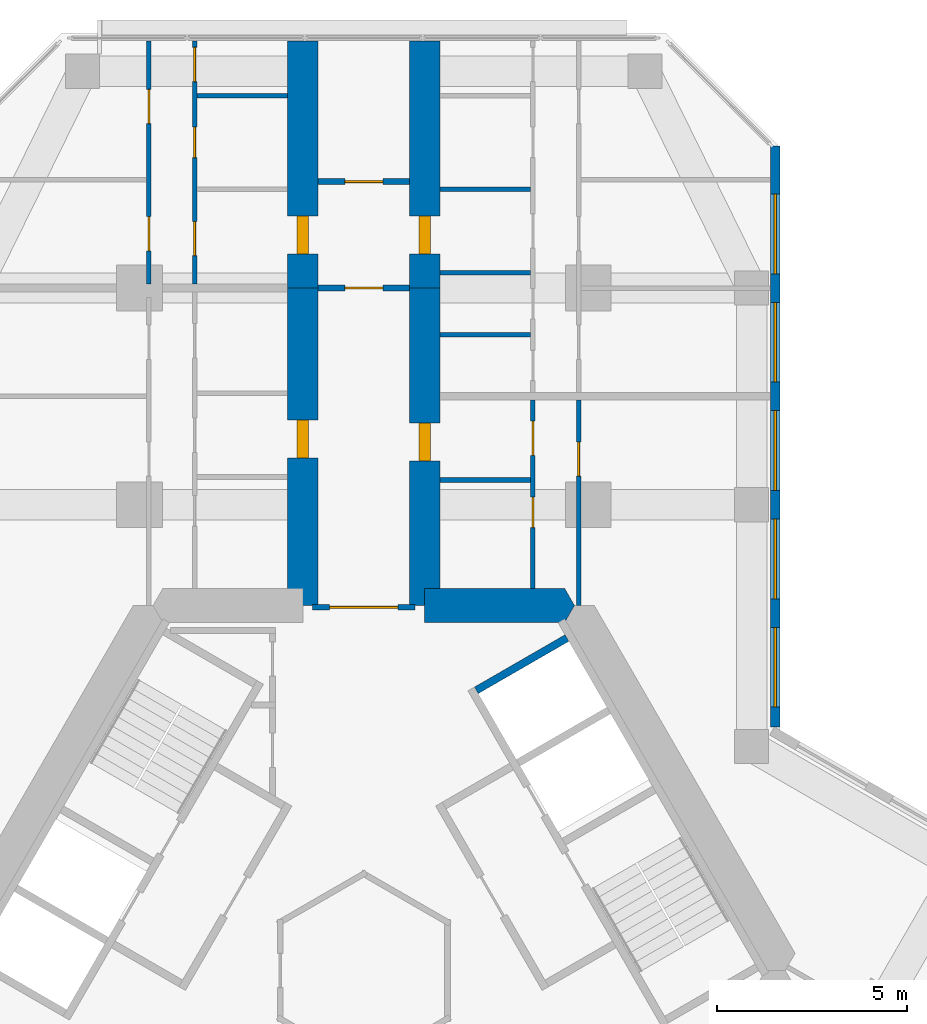
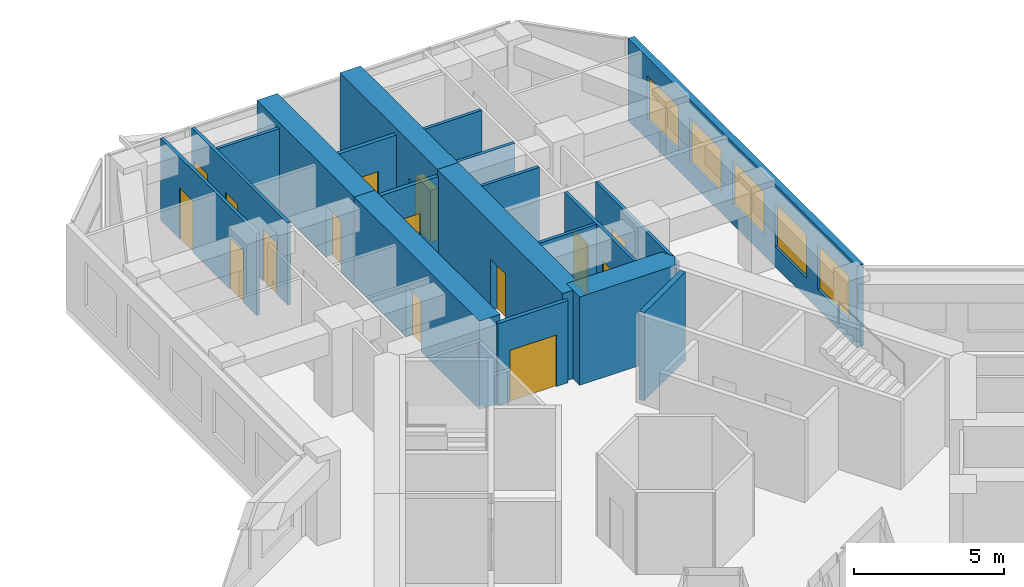
# One storey, part 17 of 19: 19 walls, 15 doors, 5 windows, 20 openings.
"""IFC4 building model written with IfcOpenShell, lengths in metres."""

from ifc_helpers import new_model, si_unit, direction, frame, frame_2d, origin, place, context, subcontext, project, spatial, polyline, rectangle, outline, extrude, material, layer, layer_set, type_object, element, fill, save


model = new_model("IFC4")

# Units and contexts
model_context = context("Model", 3, precision=1e-05, world=origin(), true_north=direction((0.0, 1.0)))
body_context = subcontext(model_context, "Body", "Model", "MODEL_VIEW")
ifc_project = project(units=[si_unit("LENGTHUNIT", "METRE"), si_unit("AREAUNIT", "SQUARE_METRE"), si_unit("VOLUMEUNIT", "CUBIC_METRE"), si_unit("PLANEANGLEUNIT", "RADIAN"), si_unit("MASSUNIT", "GRAM", prefix="KILO")], contexts=[model_context])

# Site, building, storey
site_placement = place(None, origin())
site = spatial("IfcSite", under=ifc_project, at=site_placement, CompositionType="ELEMENT")
building_placement = place(site_placement, origin())
building = spatial("IfcBuilding", under=site, at=building_placement, Name="Kosmar Iwan School Tower", CompositionType="ELEMENT")
storey_placement = place(building_placement, frame((0.0, 0.0, 145.39990234375)))
storey = spatial("IfcBuildingStorey", under=building, at=storey_placement, Name="L36", CompositionType="ELEMENT", Elevation=145.39990234375)

# Wall
ifc_material_1 = material(Name="Concrete C50/60", Category="concrete")
ifc_layer_1 = layer(ifc_material_1, 0.89990234375)
ifc_layer_set_1 = layer_set([ifc_layer_1], Name="Core wall 900")
wall_type_1 = type_object("IfcWallType", Name="Core wall 900", PredefinedType="SHEAR", material=ifc_layer_set_1)
wall_1_placement = place(storey_placement, origin())
element("IfcWall", 1, at=wall_1_placement, inside=storey, type_object=wall_type_1, Name="Core wall F090a", PredefinedType="SHEAR", context=body_context, shape_type="SweptSolid", body=[
    extrude(outline(polyline([(1.60009765625, 9.14990234375), (5.28271484375, 9.14990234375), (5.54248046875, 9.60009765625), (5.28271484375, 10.050048828125), (1.60009765625, 10.050048828125), (1.60009765625, 9.14990234375)])), origin(), (0.0, 0.0, 1.0), 3.60009765625),
])

# Wall, opening, door
ifc_material_2 = material(Name="Concrete C50/60", Category="concrete")
ifc_layer_2 = layer(ifc_material_2, 0.800048828125)
ifc_layer_set_2 = layer_set([ifc_layer_2], Name="Corridor buttress wall 800")
wall_type_2 = type_object("IfcWallType", Name="Corridor buttress wall 800", PredefinedType="SHEAR", material=ifc_layer_set_2)
wall_2_placement = place(storey_placement, frame((-1.60009765625, 9.60009765625, 0.0), z_axis=(0.0, 0.0, 1.0), x_axis=(0.0, 1.0, 0.0)))
wall_2 = element("IfcWall", 2, at=wall_2_placement, inside=storey, type_object=wall_type_2, Name="Corridor wall AL", PredefinedType="SHEAR", context=body_context, shape_type="SweptSolid", body=[
    extrude(rectangle(XDim=8.349853515625, YDim=0.800048828125, at=frame_2d((4.1748046875, 0.0))), origin(), (0.0, 0.0, 1.0), 3.60009765625),
])
opening_1_placement = place(wall_2_placement, frame((3.8798828125, 0.0, 0.0)))
opening_1 = element("IfcOpeningElement", 3, at=opening_1_placement, cuts=wall_2, Name="Opening D1", PredefinedType="OPENING", context=body_context, shape_type="SweptSolid", body=[
    extrude(rectangle(XDim=1.0, YDim=2.10009765625, at=frame_2d((0.5, 1.050048828125))), frame((0.0, 0.412109375, 0.0), z_axis=(0.0, -1.0, 0.0), x_axis=(1.0, 0.0, 0.0)), (0.0, 0.0, 1.0), 0.823974609375),
])
ifc_material_3 = material(Name="Timber fire door in steel frame", Category="steel")
door_type_1 = type_object("IfcDoorType", Name="Flat entrance door 1000x2100", OperationType="SINGLE_SWING_LEFT", PredefinedType="DOOR", material=ifc_material_3)
door_1_placement = place(opening_1_placement, origin())
door_1 = element("IfcDoor", 4, at=door_1_placement, inside=storey, type_object=door_type_1, Name="Flat L36-AL1 entrance door", OperationType="SINGLE_SWING_LEFT", OverallHeight=2.10009765625, OverallWidth=1.0, PredefinedType="DOOR", context=body_context, shape_type="SweptSolid", body=[
    extrude(rectangle(XDim=1.0, YDim=2.10009765625, at=frame_2d((0.5, 1.050048828125))), frame((0.0, 0.14990234375, 0.0), z_axis=(0.0, -1.0, 0.0), x_axis=(1.0, 0.0, 0.0)), (0.0, 0.0, 1.0), 0.300048828125),
])
fill(opening_1, door_1)

wall_3_placement = place(storey_placement, frame((-1.60009765625, 17.949951171875, 0.0), z_axis=(0.0, 0.0, 1.0), x_axis=(0.0, 1.0, 0.0)))
wall_3 = element("IfcWall", 5, at=wall_3_placement, inside=storey, type_object=wall_type_2, Name="Corridor wall AL bay 2", PredefinedType="SHEAR", context=body_context, shape_type="SweptSolid", body=[
    extrude(rectangle(XDim=6.4951171875, YDim=0.800048828125, at=frame_2d((3.24755859375, 0.0))), origin(), (0.0, 0.0, 1.0), 3.60009765625),
])
opening_2_placement = place(wall_3_placement, frame((0.89990234375, 0.0, 0.0)))
opening_2 = element("IfcOpeningElement", 6, at=opening_2_placement, cuts=wall_3, Name="Opening D1", PredefinedType="OPENING", context=body_context, shape_type="SweptSolid", body=[
    extrude(rectangle(XDim=1.0, YDim=2.10009765625, at=frame_2d((0.5, 1.050048828125))), frame((0.0, 0.412109375, 0.0), z_axis=(0.0, -1.0, 0.0), x_axis=(1.0, 0.0, 0.0)), (0.0, 0.0, 1.0), 0.823974609375),
])
door_2_placement = place(opening_2_placement, origin())
door_2 = element("IfcDoor", 7, at=door_2_placement, inside=storey, type_object=door_type_1, Name="Flat L36-AL2 entrance door", OperationType="SINGLE_SWING_RIGHT", OverallHeight=2.10009765625, OverallWidth=1.0, PredefinedType="DOOR", context=body_context, shape_type="SweptSolid", body=[
    extrude(rectangle(XDim=1.0, YDim=2.10009765625, at=frame_2d((0.5, 1.050048828125))), frame((0.0, 0.14990234375, 0.0), z_axis=(0.0, -1.0, 0.0), x_axis=(1.0, 0.0, 0.0)), (0.0, 0.0, 1.0), 0.300048828125),
])
fill(opening_2, door_2)

wall_4_placement = place(storey_placement, frame((1.60009765625, 9.60009765625, 0.0), z_axis=(0.0, 0.0, 1.0), x_axis=(0.0, 1.0, 0.0)))
wall_4 = element("IfcWall", 8, at=wall_4_placement, inside=storey, type_object=wall_type_2, Name="Corridor wall AR", PredefinedType="SHEAR", context=body_context, shape_type="SweptSolid", body=[
    extrude(rectangle(XDim=8.349853515625, YDim=0.800048828125, at=frame_2d((4.1748046875, 0.0))), origin(), (0.0, 0.0, 1.0), 3.60009765625),
])
opening_3_placement = place(wall_4_placement, frame((3.800048828125, 0.0, 0.0)))
opening_3 = element("IfcOpeningElement", 9, at=opening_3_placement, cuts=wall_4, Name="Opening D1", PredefinedType="OPENING", context=body_context, shape_type="SweptSolid", body=[
    extrude(rectangle(XDim=1.0, YDim=2.10009765625, at=frame_2d((0.5, 1.050048828125))), frame((0.0, 0.412109375, 0.0), z_axis=(0.0, -1.0, 0.0), x_axis=(1.0, 0.0, 0.0)), (0.0, 0.0, 1.0), 0.823974609375),
])
door_3_placement = place(opening_3_placement, origin())
door_3 = element("IfcDoor", 10, at=door_3_placement, inside=storey, type_object=door_type_1, Name="Flat L36-AR1 entrance door", OperationType="SINGLE_SWING_RIGHT", OverallHeight=2.10009765625, OverallWidth=1.0, PredefinedType="DOOR", context=body_context, shape_type="SweptSolid", body=[
    extrude(rectangle(XDim=1.0, YDim=2.10009765625, at=frame_2d((0.5, 1.050048828125))), frame((0.0, 0.14990234375, 0.0), z_axis=(0.0, -1.0, 0.0), x_axis=(1.0, 0.0, 0.0)), (0.0, 0.0, 1.0), 0.300048828125),
])
fill(opening_3, door_3)

wall_5_placement = place(storey_placement, frame((1.60009765625, 17.949951171875, 0.0), z_axis=(0.0, 0.0, 1.0), x_axis=(0.0, 1.0, 0.0)))
wall_5 = element("IfcWall", 11, at=wall_5_placement, inside=storey, type_object=wall_type_2, Name="Corridor wall AR bay 2", PredefinedType="SHEAR", context=body_context, shape_type="SweptSolid", body=[
    extrude(rectangle(XDim=6.4951171875, YDim=0.800048828125, at=frame_2d((3.24755859375, 0.0))), origin(), (0.0, 0.0, 1.0), 3.60009765625),
])
opening_4_placement = place(wall_5_placement, frame((0.89990234375, 0.0, 0.0)))
opening_4 = element("IfcOpeningElement", 12, at=opening_4_placement, cuts=wall_5, Name="Opening D1", PredefinedType="OPENING", context=body_context, shape_type="SweptSolid", body=[
    extrude(rectangle(XDim=1.0, YDim=2.10009765625, at=frame_2d((0.5, 1.050048828125))), frame((0.0, 0.412109375, 0.0), z_axis=(0.0, -1.0, 0.0), x_axis=(1.0, 0.0, 0.0)), (0.0, 0.0, 1.0), 0.823974609375),
])
door_4_placement = place(opening_4_placement, origin())
door_4 = element("IfcDoor", 13, at=door_4_placement, inside=storey, type_object=door_type_1, Name="Flat L36-AR2 entrance door", OperationType="SINGLE_SWING_LEFT", OverallHeight=2.10009765625, OverallWidth=1.0, PredefinedType="DOOR", context=body_context, shape_type="SweptSolid", body=[
    extrude(rectangle(XDim=1.0, YDim=2.10009765625, at=frame_2d((0.5, 1.050048828125))), frame((0.0, 0.14990234375, 0.0), z_axis=(0.0, -1.0, 0.0), x_axis=(1.0, 0.0, 0.0)), (0.0, 0.0, 1.0), 0.300048828125),
])
fill(opening_4, door_4)

ifc_material_4 = material(Name="Gypsum board on steel studs, fire-rated", Category="steel")
ifc_layer_3 = layer(ifc_material_4, 0.14990234375)
ifc_layer_set_3 = layer_set([ifc_layer_3], Name="Corridor end wall 150")
wall_type_3 = type_object("IfcWallType", Name="Corridor end wall 150", PredefinedType="PARTITIONING", material=ifc_layer_set_3)
wall_6_placement = place(storey_placement, frame((1.199951171875, 20.75, 0.0), z_axis=(0.0, 0.0, 1.0), x_axis=(-1.0, 0.0, 0.0)))
wall_6 = element("IfcWall", 14, at=wall_6_placement, inside=storey, type_object=wall_type_3, Name="Partition L36-A-CE", PredefinedType="PARTITIONING", context=body_context, shape_type="SweptSolid", body=[
    extrude(rectangle(XDim=2.39990234375, YDim=0.14990234375, at=frame_2d((1.199951171875, 0.0))), origin(), (0.0, 0.0, 1.0), 3.35009765625),
])
opening_5_placement = place(wall_6_placement, frame((0.699951171875, 0.0, 0.0)))
opening_5 = element("IfcOpeningElement", 15, at=opening_5_placement, cuts=wall_6, Name="Opening D13", PredefinedType="OPENING", context=body_context, shape_type="SweptSolid", body=[
    extrude(rectangle(XDim=1.0, YDim=2.10009765625, at=frame_2d((0.5, 1.050048828125))), frame((0.0, 0.0869140625, 0.0), z_axis=(0.0, -1.0, 0.0), x_axis=(1.0, 0.0, 0.0)), (0.0, 0.0, 1.0), 0.173828125),
])
ifc_material_5 = material(Name="Timber fire door with vision panel", Category="wood")
door_type_2 = type_object("IfcDoorType", Name="Corridor end door 1000x2100", OperationType="SINGLE_SWING_LEFT", PredefinedType="DOOR", material=ifc_material_5)
door_5_placement = place(opening_5_placement, origin())
door_5 = element("IfcDoor", 16, at=door_5_placement, inside=storey, type_object=door_type_2, Name="Prayer room door L36-A", OperationType="SINGLE_SWING_RIGHT", OverallHeight=2.10009765625, OverallWidth=1.0, PredefinedType="DOOR", context=body_context, shape_type="SweptSolid", body=[
    extrude(rectangle(XDim=1.0, YDim=2.10009765625, at=frame_2d((0.5, 1.050048828125))), frame((0.0, 0.02490234375, 0.0), z_axis=(0.0, -1.0, 0.0), x_axis=(1.0, 0.0, 0.0)), (0.0, 0.0, 1.0), 0.050048828125),
])
fill(opening_5, door_5)

wall_7_placement = place(storey_placement, frame((1.199951171875, 17.949951171875, 0.0), z_axis=(0.0, 0.0, 1.0), x_axis=(-1.0, 0.0, 0.0)))
wall_7 = element("IfcWall", 17, at=wall_7_placement, inside=storey, type_object=wall_type_3, Name="Partition L36-A-HW", PredefinedType="PARTITIONING", context=body_context, shape_type="SweptSolid", body=[
    extrude(rectangle(XDim=2.39990234375, YDim=0.14990234375, at=frame_2d((1.199951171875, 0.0))), origin(), (0.0, 0.0, 1.0), 3.35009765625),
])
opening_6_placement = place(wall_7_placement, frame((0.699951171875, 0.0, 0.0)))
opening_6 = element("IfcOpeningElement", 18, at=opening_6_placement, cuts=wall_7, Name="Opening D13", PredefinedType="OPENING", context=body_context, shape_type="SweptSolid", body=[
    extrude(rectangle(XDim=1.0, YDim=2.10009765625, at=frame_2d((0.5, 1.050048828125))), frame((0.0, 0.0869140625, 0.0), z_axis=(0.0, -1.0, 0.0), x_axis=(1.0, 0.0, 0.0)), (0.0, 0.0, 1.0), 0.173828125),
])
door_6_placement = place(opening_6_placement, origin())
door_6 = element("IfcDoor", 19, at=door_6_placement, inside=storey, type_object=door_type_2, Name="Hashti door L36-A", OperationType="SINGLE_SWING_LEFT", OverallHeight=2.10009765625, OverallWidth=1.0, PredefinedType="DOOR", context=body_context, shape_type="SweptSolid", body=[
    extrude(rectangle(XDim=1.0, YDim=2.10009765625, at=frame_2d((0.5, 1.050048828125))), frame((0.0, 0.02490234375, 0.0), z_axis=(0.0, -1.0, 0.0), x_axis=(1.0, 0.0, 0.0)), (0.0, 0.0, 1.0), 0.050048828125),
])
fill(opening_6, door_6)

ifc_material_6 = material(Name="Steel framed glazed screen", Category="steel")
ifc_layer_4 = layer(ifc_material_6, 0.14990234375)
ifc_layer_set_4 = layer_set([ifc_layer_4], Name="Corridor screen wall 150")
wall_type_4 = type_object("IfcWallType", Name="Corridor screen wall 150", PredefinedType="PARTITIONING", material=ifc_layer_set_4)
wall_8_placement = place(storey_placement, frame((1.35009765625, 9.550048828125, 0.0), z_axis=(0.0, 0.0, 1.0), x_axis=(-1.0, 0.0, 0.0)))
wall_8 = element("IfcWall", 20, at=wall_8_placement, inside=storey, type_object=wall_type_4, Name="Corridor screen A L36", PredefinedType="PARTITIONING", context=body_context, shape_type="SweptSolid", body=[
    extrude(rectangle(XDim=2.7001953125, YDim=0.14990234375, at=frame_2d((1.35009765625, 0.0))), origin(), (0.0, 0.0, 1.0), 3.35009765625),
])
opening_7_placement = place(wall_8_placement, frame((0.449951171875, 0.0, 0.0)))
opening_7 = element("IfcOpeningElement", 21, at=opening_7_placement, cuts=wall_8, Name="Opening D9", PredefinedType="OPENING", context=body_context, shape_type="SweptSolid", body=[
    extrude(rectangle(XDim=1.800048828125, YDim=2.10009765625, at=frame_2d((0.89990234375, 1.050048828125))), frame((0.0, 0.0869140625, 0.0), z_axis=(0.0, -1.0, 0.0), x_axis=(1.0, 0.0, 0.0)), (0.0, 0.0, 1.0), 0.173828125),
])
ifc_material_7 = material(Name="Steel framed glazed smoke door", Category="steel")
door_type_3 = type_object("IfcDoorType", Name="Corridor smoke door pair 1800x2100", OperationType="DOUBLE_DOOR_DOUBLE_SWING", PredefinedType="DOOR", material=ifc_material_7)
door_7_placement = place(opening_7_placement, origin())
door_7 = element("IfcDoor", 22, at=door_7_placement, inside=storey, type_object=door_type_3, Name="Corridor doors A L36", OperationType="DOUBLE_DOOR_DOUBLE_SWING", OverallHeight=2.10009765625, OverallWidth=1.800048828125, PredefinedType="DOOR", context=body_context, shape_type="SweptSolid", body=[
    extrude(rectangle(XDim=1.800048828125, YDim=2.10009765625, at=frame_2d((0.89990234375, 1.050048828125))), frame((0.0, 0.02490234375, 0.0), z_axis=(0.0, -1.0, 0.0), x_axis=(1.0, 0.0, 0.0)), (0.0, 0.0, 1.0), 0.050048828125),
])
fill(opening_7, door_7)

# Wall, openings, doors
ifc_material_8 = material(Name="Gypsum board on steel studs", Category="steel")
ifc_layer_5 = layer(ifc_material_8, 0.1201171875)
ifc_layer_set_5 = layer_set([ifc_layer_5], Name="Dwelling partition 120")
wall_type_5 = type_object("IfcWallType", Name="Dwelling partition 120", PredefinedType="PARTITIONING", material=ifc_layer_set_5)
wall_9_placement = place(storey_placement, frame((-4.449951171875, 18.050048828125, 0.0), z_axis=(0.0, 0.0, 1.0), x_axis=(0.0, 1.0, 0.0)))
wall_9 = element("IfcWall", 23, at=wall_9_placement, inside=storey, type_object=wall_type_5, Name="Partition L36-AL2-W1", PredefinedType="PARTITIONING", context=body_context, shape_type="SweptSolid", body=[
    extrude(rectangle(XDim=6.39501953125, YDim=0.1201171875, at=frame_2d((3.197509765625, 0.0))), origin(), (0.0, 0.0, 1.0), 3.35009765625),
])
opening_8_placement = place(wall_9_placement, frame((0.75, 0.0, 0.0)))
opening_8 = element("IfcOpeningElement", 24, at=opening_8_placement, cuts=wall_9, Name="Opening D2", PredefinedType="OPENING", context=body_context, shape_type="SweptSolid", body=[
    extrude(rectangle(XDim=0.89990234375, YDim=2.10009765625, at=frame_2d((0.449951171875, 1.050048828125))), frame((0.0, 0.072021484375, 0.0), z_axis=(0.0, -1.0, 0.0), x_axis=(1.0, 0.0, 0.0)), (0.0, 0.0, 1.0), 0.14404296875),
])
opening_9_placement = place(wall_9_placement, frame((3.330078125, 0.0, 0.0)))
opening_9 = element("IfcOpeningElement", 25, at=opening_9_placement, cuts=wall_9, Name="Opening D3", PredefinedType="OPENING", context=body_context, shape_type="SweptSolid", body=[
    extrude(rectangle(XDim=0.800048828125, YDim=2.10009765625, at=frame_2d((0.39990234375, 1.050048828125))), frame((0.0, 0.072021484375, 0.0), z_axis=(0.0, -1.0, 0.0), x_axis=(1.0, 0.0, 0.0)), (0.0, 0.0, 1.0), 0.14404296875),
])
opening_10_placement = place(wall_9_placement, frame((5.330078125, 0.0, 0.0)))
opening_10 = element("IfcOpeningElement", 26, at=opening_10_placement, cuts=wall_9, Name="Opening D2", PredefinedType="OPENING", context=body_context, shape_type="SweptSolid", body=[
    extrude(rectangle(XDim=0.89990234375, YDim=2.10009765625, at=frame_2d((0.449951171875, 1.050048828125))), frame((0.0, 0.072021484375, 0.0), z_axis=(0.0, -1.0, 0.0), x_axis=(1.0, 0.0, 0.0)), (0.0, 0.0, 1.0), 0.14404296875),
])
ifc_material_9 = material(Name="Timber door in timber frame", Category="wood")
door_type_4 = type_object("IfcDoorType", Name="Internal door 900x2100", OperationType="SINGLE_SWING_LEFT", PredefinedType="DOOR", material=ifc_material_9)
door_8_placement = place(opening_8_placement, origin())
door_8 = element("IfcDoor", 27, at=door_8_placement, inside=storey, type_object=door_type_4, Name="Entrance hall door L36-AL2-S1", OperationType="SINGLE_SWING_LEFT", OverallHeight=2.10009765625, OverallWidth=0.89990234375, PredefinedType="DOOR", context=body_context, shape_type="SweptSolid", body=[
    extrude(rectangle(XDim=0.89990234375, YDim=2.10009765625, at=frame_2d((0.449951171875, 1.050048828125))), frame((0.0, 0.02490234375, 0.0), z_axis=(0.0, -1.0, 0.0), x_axis=(1.0, 0.0, 0.0)), (0.0, 0.0, 1.0), 0.050048828125),
])
fill(opening_8, door_8)
door_9_placement = place(opening_10_placement, origin())
door_9 = element("IfcDoor", 28, at=door_9_placement, inside=storey, type_object=door_type_4, Name="Pantry door L36-AL2-S3", OperationType="SINGLE_SWING_RIGHT", OverallHeight=2.10009765625, OverallWidth=0.89990234375, PredefinedType="DOOR", context=body_context, shape_type="SweptSolid", body=[
    extrude(rectangle(XDim=0.89990234375, YDim=2.10009765625, at=frame_2d((0.449951171875, 1.050048828125))), frame((0.0, 0.02490234375, 0.0), z_axis=(0.0, -1.0, 0.0), x_axis=(1.0, 0.0, 0.0)), (0.0, 0.0, 1.0), 0.050048828125),
])
fill(opening_10, door_9)
ifc_material_10 = material(Name="Timber door in timber frame", Category="wood")
door_type_5 = type_object("IfcDoorType", Name="Sanitary room door 800x2100", OperationType="SINGLE_SWING_LEFT", PredefinedType="DOOR", material=ifc_material_10)
door_10_placement = place(opening_9_placement, origin())
door_10 = element("IfcDoor", 29, at=door_10_placement, inside=storey, type_object=door_type_5, Name="Bathroom door L36-AL2-S2", OperationType="SINGLE_SWING_RIGHT", OverallHeight=2.10009765625, OverallWidth=0.800048828125, PredefinedType="DOOR", context=body_context, shape_type="SweptSolid", body=[
    extrude(rectangle(XDim=0.800048828125, YDim=2.10009765625, at=frame_2d((0.39990234375, 1.050048828125))), frame((0.0, 0.02490234375, 0.0), z_axis=(0.0, -1.0, 0.0), x_axis=(1.0, 0.0, 0.0)), (0.0, 0.0, 1.0), 0.050048828125),
])
fill(opening_9, door_10)

wall_10_placement = place(storey_placement, frame((-5.64990234375, 18.050048828125, 0.0), z_axis=(0.0, 0.0, 1.0), x_axis=(0.0, 1.0, 0.0)))
wall_10 = element("IfcWall", 30, at=wall_10_placement, inside=storey, type_object=wall_type_5, Name="Partition L36-AL2-W2", PredefinedType="PARTITIONING", context=body_context, shape_type="SweptSolid", body=[
    extrude(rectangle(XDim=6.39501953125, YDim=0.1201171875, at=frame_2d((3.197509765625, 0.0))), origin(), (0.0, 0.0, 1.0), 3.35009765625),
])
opening_11_placement = place(wall_10_placement, frame((0.875, 0.0, 0.0)))
opening_11 = element("IfcOpeningElement", 31, at=opening_11_placement, cuts=wall_10, Name="Opening D2", PredefinedType="OPENING", context=body_context, shape_type="SweptSolid", body=[
    extrude(rectangle(XDim=0.89990234375, YDim=2.10009765625, at=frame_2d((0.449951171875, 1.050048828125))), frame((0.0, 0.072021484375, 0.0), z_axis=(0.0, -1.0, 0.0), x_axis=(1.0, 0.0, 0.0)), (0.0, 0.0, 1.0), 0.14404296875),
])
opening_12_placement = place(wall_10_placement, frame((4.22509765625, 0.0, 0.0)))
opening_12 = element("IfcOpeningElement", 32, at=opening_12_placement, cuts=wall_10, Name="Opening D2", PredefinedType="OPENING", context=body_context, shape_type="SweptSolid", body=[
    extrude(rectangle(XDim=0.89990234375, YDim=2.10009765625, at=frame_2d((0.449951171875, 1.050048828125))), frame((0.0, 0.072021484375, 0.0), z_axis=(0.0, -1.0, 0.0), x_axis=(1.0, 0.0, 0.0)), (0.0, 0.0, 1.0), 0.14404296875),
])
door_11_placement = place(opening_11_placement, origin())
door_11 = element("IfcDoor", 33, at=door_11_placement, inside=storey, type_object=door_type_4, Name="Family room and kitchen door L36-AL2-F1", OperationType="SINGLE_SWING_LEFT", OverallHeight=2.10009765625, OverallWidth=0.89990234375, PredefinedType="DOOR", context=body_context, shape_type="SweptSolid", body=[
    extrude(rectangle(XDim=0.89990234375, YDim=2.10009765625, at=frame_2d((0.449951171875, 1.050048828125))), frame((0.0, 0.02490234375, 0.0), z_axis=(0.0, -1.0, 0.0), x_axis=(1.0, 0.0, 0.0)), (0.0, 0.0, 1.0), 0.050048828125),
])
fill(opening_11, door_11)
door_12_placement = place(opening_12_placement, origin())
door_12 = element("IfcDoor", 34, at=door_12_placement, inside=storey, type_object=door_type_4, Name="Bedroom 1 door L36-AL2-F2", OperationType="SINGLE_SWING_RIGHT", OverallHeight=2.10009765625, OverallWidth=0.89990234375, PredefinedType="DOOR", context=body_context, shape_type="SweptSolid", body=[
    extrude(rectangle(XDim=0.89990234375, YDim=2.10009765625, at=frame_2d((0.449951171875, 1.050048828125))), frame((0.0, 0.02490234375, 0.0), z_axis=(0.0, -1.0, 0.0), x_axis=(1.0, 0.0, 0.0)), (0.0, 0.0, 1.0), 0.050048828125),
])
fill(opening_12, door_12)

# Wall
wall_11_placement = place(storey_placement, frame((-2.0, 23.010009765625, 0.0), z_axis=(0.0, 0.0, 1.0), x_axis=(-1.0, 0.0, 0.0)))
element("IfcWall", 35, at=wall_11_placement, inside=storey, type_object=wall_type_5, Name="Partition L36-AL2-Y2", PredefinedType="PARTITIONING", context=body_context, shape_type="SweptSolid", body=[
    extrude(rectangle(XDim=2.389892578125, YDim=0.1201171875, at=frame_2d((1.19482421875, 0.0))), origin(), (0.0, 0.0, 1.0), 3.35009765625),
])

# Wall, openings, doors
wall_12_placement = place(storey_placement, frame((4.449951171875, 10.050048828125, 0.0), z_axis=(0.0, 0.0, 1.0), x_axis=(0.0, 1.0, 0.0)))
wall_12 = element("IfcWall", 36, at=wall_12_placement, inside=storey, type_object=wall_type_5, Name="Partition L36-AR1-W1", PredefinedType="PARTITIONING", context=body_context, shape_type="SweptSolid", body=[
    extrude(rectangle(XDim=4.949951171875, YDim=0.1201171875, at=frame_2d((2.47509765625, 0.0))), origin(), (0.0, 0.0, 1.0), 3.35009765625),
])
opening_13_placement = place(wall_12_placement, frame((1.60009765625, 0.0, 0.0)))
opening_13 = element("IfcOpeningElement", 37, at=opening_13_placement, cuts=wall_12, Name="Opening D3", PredefinedType="OPENING", context=body_context, shape_type="SweptSolid", body=[
    extrude(rectangle(XDim=0.800048828125, YDim=2.10009765625, at=frame_2d((0.39990234375, 1.050048828125))), frame((0.0, 0.072021484375, 0.0), z_axis=(0.0, -1.0, 0.0), x_axis=(1.0, 0.0, 0.0)), (0.0, 0.0, 1.0), 0.14404296875),
])
opening_14_placement = place(wall_12_placement, frame((3.5, 0.0, 0.0)))
opening_14 = element("IfcOpeningElement", 38, at=opening_14_placement, cuts=wall_12, Name="Opening D2", PredefinedType="OPENING", context=body_context, shape_type="SweptSolid", body=[
    extrude(rectangle(XDim=0.89990234375, YDim=2.10009765625, at=frame_2d((0.449951171875, 1.050048828125))), frame((0.0, 0.072021484375, 0.0), z_axis=(0.0, -1.0, 0.0), x_axis=(1.0, 0.0, 0.0)), (0.0, 0.0, 1.0), 0.14404296875),
])
door_13_placement = place(opening_14_placement, origin())
door_13 = element("IfcDoor", 39, at=door_13_placement, inside=storey, type_object=door_type_4, Name="Entrance hall door L36-AR1-S2", OperationType="SINGLE_SWING_RIGHT", OverallHeight=2.10009765625, OverallWidth=0.89990234375, PredefinedType="DOOR", context=body_context, shape_type="SweptSolid", body=[
    extrude(rectangle(XDim=0.89990234375, YDim=2.10009765625, at=frame_2d((0.449951171875, 1.050048828125))), frame((0.0, 0.02490234375, 0.0), z_axis=(0.0, -1.0, 0.0), x_axis=(1.0, 0.0, 0.0)), (0.0, 0.0, 1.0), 0.050048828125),
])
fill(opening_14, door_13)
door_14_placement = place(opening_13_placement, origin())
door_14 = element("IfcDoor", 40, at=door_14_placement, inside=storey, type_object=door_type_5, Name="Bathroom door L36-AR1-S1", OperationType="SINGLE_SWING_RIGHT", OverallHeight=2.10009765625, OverallWidth=0.800048828125, PredefinedType="DOOR", context=body_context, shape_type="SweptSolid", body=[
    extrude(rectangle(XDim=0.800048828125, YDim=2.10009765625, at=frame_2d((0.39990234375, 1.050048828125))), frame((0.0, 0.02490234375, 0.0), z_axis=(0.0, -1.0, 0.0), x_axis=(1.0, 0.0, 0.0)), (0.0, 0.0, 1.0), 0.050048828125),
])
fill(opening_13, door_14)

# Wall, opening, door
wall_13_placement = place(storey_placement, frame((5.64990234375, 9.60009765625, 0.0), z_axis=(0.0, 0.0, 1.0), x_axis=(0.0, 1.0, 0.0)))
wall_13 = element("IfcWall", 41, at=wall_13_placement, inside=storey, type_object=wall_type_5, Name="Partition L36-AR1-W2", PredefinedType="PARTITIONING", context=body_context, shape_type="SweptSolid", body=[
    extrude(rectangle(XDim=5.39990234375, YDim=0.1201171875, at=frame_2d((2.699951171875, 0.0))), origin(), (0.0, 0.0, 1.0), 3.35009765625),
])
opening_15_placement = place(wall_13_placement, frame((3.39990234375, 0.0, 0.0)))
opening_15 = element("IfcOpeningElement", 42, at=opening_15_placement, cuts=wall_13, Name="Opening D2", PredefinedType="OPENING", context=body_context, shape_type="SweptSolid", body=[
    extrude(rectangle(XDim=0.89990234375, YDim=2.10009765625, at=frame_2d((0.449951171875, 1.050048828125))), frame((0.0, 0.072021484375, 0.0), z_axis=(0.0, -1.0, 0.0), x_axis=(1.0, 0.0, 0.0)), (0.0, 0.0, 1.0), 0.14404296875),
])
door_15_placement = place(opening_15_placement, origin())
door_15 = element("IfcDoor", 43, at=door_15_placement, inside=storey, type_object=door_type_4, Name="Studio living room and kitchen door L36-AR1-F1", OperationType="SINGLE_SWING_RIGHT", OverallHeight=2.10009765625, OverallWidth=0.89990234375, PredefinedType="DOOR", context=body_context, shape_type="SweptSolid", body=[
    extrude(rectangle(XDim=0.89990234375, YDim=2.10009765625, at=frame_2d((0.449951171875, 1.050048828125))), frame((0.0, 0.02490234375, 0.0), z_axis=(0.0, -1.0, 0.0), x_axis=(1.0, 0.0, 0.0)), (0.0, 0.0, 1.0), 0.050048828125),
])
fill(opening_15, door_15)

# Walls
for number, where, z_axis, x_axis, name in (
    (44, (2.0, 12.89990234375, 0.0), (0.0, 0.0, 1.0), (1.0, 0.0, 0.0), "Partition L36-AR1-Y1"),
    (45, (2.0, 16.72509765625, 0.0), (0.0, 0.0, 1.0), (1.0, 0.0, 0.0), "Partition L36-AR2-Y1"),
    (46, (2.0, 18.35009765625, 0.0), (0.0, 0.0, 1.0), (1.0, 0.0, 0.0), "Partition L36-AR2-Y2"),
    (47, (2.0, 20.550048828125, 0.0), (0.0, 0.0, 1.0), (1.0, 0.0, 0.0), "Partition L36-AR2-Y3"),
):
    element("IfcWall", number, at=place(storey_placement, frame(where, z_axis=z_axis, x_axis=x_axis)), inside=storey, type_object=wall_type_5, Name=name, PredefinedType="PARTITIONING", context=body_context, shape_type="SweptSolid", body=[
        extrude(rectangle(XDim=2.389892578125, YDim=0.1201171875, at=frame_2d((1.19482421875, 0.0))), origin(), (0.0, 0.0, 1.0), 3.35009765625),
    ])

# Wall, openings, windows
ifc_material_11 = material(Name="Black aluminium rainscreen on insulated framing", Category="aluminium")
ifc_layer_6 = layer(ifc_material_11, 0.25)
ifc_layer_set_6 = layer_set([ifc_layer_6], Name="External wall rainscreen 250")
wall_type_6 = type_object("IfcWallType", Name="External wall rainscreen 250", PredefinedType="SOLIDWALL", material=ifc_layer_set_6)
wall_14_placement = place(storey_placement, frame((10.824951171875, 6.408935546875, 0.0), z_axis=(0.0, 0.0, 1.0), x_axis=(0.0, 1.0, 0.0)))
wall_14 = element("IfcWall", 48, at=wall_14_placement, inside=storey, type_object=wall_type_6, Name="External wall AR L36", PredefinedType="SOLIDWALL", context=body_context, shape_type="SweptSolid", body=[
    extrude(rectangle(XDim=15.2763671875, YDim=0.25, at=frame_2d((7.63818359375, 0.0))), origin(), (0.0, 0.0, 1.0), 3.35009765625),
])
opening_16_placement = place(wall_14_placement, frame((0.51611328125, 0.0, 0.800048828125)))
opening_16 = element("IfcOpeningElement", 49, at=opening_16_placement, cuts=wall_14, Name="Opening W4", PredefinedType="OPENING", context=body_context, shape_type="SweptSolid", body=[
    extrude(rectangle(XDim=2.10009765625, YDim=1.800048828125, at=frame_2d((1.050048828125, 0.89990234375))), frame((0.0, 0.136962890625, 0.0), z_axis=(0.0, -1.0, 0.0), x_axis=(1.0, 0.0, 0.0)), (0.0, 0.0, 1.0), 0.27392578125),
])
opening_17_placement = place(wall_14_placement, frame((3.365966796875, 0.0, 0.800048828125)))
opening_17 = element("IfcOpeningElement", 50, at=opening_17_placement, cuts=wall_14, Name="Opening W4", PredefinedType="OPENING", context=body_context, shape_type="SweptSolid", body=[
    extrude(rectangle(XDim=2.10009765625, YDim=1.800048828125, at=frame_2d((1.050048828125, 0.89990234375))), frame((0.0, 0.136962890625, 0.0), z_axis=(0.0, -1.0, 0.0), x_axis=(1.0, 0.0, 0.0)), (0.0, 0.0, 1.0), 0.27392578125),
])
opening_18_placement = place(wall_14_placement, frame((6.216064453125, 0.0, 0.800048828125)))
opening_18 = element("IfcOpeningElement", 51, at=opening_18_placement, cuts=wall_14, Name="Opening W4", PredefinedType="OPENING", context=body_context, shape_type="SweptSolid", body=[
    extrude(rectangle(XDim=2.10009765625, YDim=1.800048828125, at=frame_2d((1.050048828125, 0.89990234375))), frame((0.0, 0.136962890625, 0.0), z_axis=(0.0, -1.0, 0.0), x_axis=(1.0, 0.0, 0.0)), (0.0, 0.0, 1.0), 0.27392578125),
])
opening_19_placement = place(wall_14_placement, frame((9.06591796875, 0.0, 0.800048828125)))
opening_19 = element("IfcOpeningElement", 52, at=opening_19_placement, cuts=wall_14, Name="Opening W4", PredefinedType="OPENING", context=body_context, shape_type="SweptSolid", body=[
    extrude(rectangle(XDim=2.10009765625, YDim=1.800048828125, at=frame_2d((1.050048828125, 0.89990234375))), frame((0.0, 0.136962890625, 0.0), z_axis=(0.0, -1.0, 0.0), x_axis=(1.0, 0.0, 0.0)), (0.0, 0.0, 1.0), 0.27392578125),
])
opening_20_placement = place(wall_14_placement, frame((11.916015625, 0.0, 0.800048828125)))
opening_20 = element("IfcOpeningElement", 53, at=opening_20_placement, cuts=wall_14, Name="Opening W4", PredefinedType="OPENING", context=body_context, shape_type="SweptSolid", body=[
    extrude(rectangle(XDim=2.10009765625, YDim=1.800048828125, at=frame_2d((1.050048828125, 0.89990234375))), frame((0.0, 0.136962890625, 0.0), z_axis=(0.0, -1.0, 0.0), x_axis=(1.0, 0.0, 0.0)), (0.0, 0.0, 1.0), 0.27392578125),
])
ifc_material_12 = material(Name="Black aluminium frame with dark triple glazing", Category="aluminium")
window_type = type_object("IfcWindowType", Name="Window 2100x1800", PartitioningType="SINGLE_PANEL", PredefinedType="WINDOW", material=ifc_material_12)
window_1_placement = place(opening_16_placement, origin())
window_1 = element("IfcWindow", 54, at=window_1_placement, inside=storey, type_object=window_type, Name="Window AR L36 -1", OverallHeight=1.800048828125, OverallWidth=2.10009765625, PartitioningType="SINGLE_PANEL", PredefinedType="WINDOW", context=body_context, shape_type="SweptSolid", body=[
    extrude(rectangle(XDim=2.10009765625, YDim=1.800048828125, at=frame_2d((1.050048828125, 0.89990234375))), frame((0.0, 0.030029296875, 0.0), z_axis=(0.0, -1.0, 0.0), x_axis=(1.0, 0.0, 0.0)), (0.0, 0.0, 1.0), 0.06005859375),
])
fill(opening_16, window_1)
window_2_placement = place(opening_17_placement, origin())
window_2 = element("IfcWindow", 55, at=window_2_placement, inside=storey, type_object=window_type, Name="Window AR L36 0", OverallHeight=1.800048828125, OverallWidth=2.10009765625, PartitioningType="SINGLE_PANEL", PredefinedType="WINDOW", context=body_context, shape_type="SweptSolid", body=[
    extrude(rectangle(XDim=2.10009765625, YDim=1.800048828125, at=frame_2d((1.050048828125, 0.89990234375))), frame((0.0, 0.030029296875, 0.0), z_axis=(0.0, -1.0, 0.0), x_axis=(1.0, 0.0, 0.0)), (0.0, 0.0, 1.0), 0.06005859375),
])
fill(opening_17, window_2)
window_3_placement = place(opening_18_placement, origin())
window_3 = element("IfcWindow", 56, at=window_3_placement, inside=storey, type_object=window_type, Name="Window AR L36 1", OverallHeight=1.800048828125, OverallWidth=2.10009765625, PartitioningType="SINGLE_PANEL", PredefinedType="WINDOW", context=body_context, shape_type="SweptSolid", body=[
    extrude(rectangle(XDim=2.10009765625, YDim=1.800048828125, at=frame_2d((1.050048828125, 0.89990234375))), frame((0.0, 0.030029296875, 0.0), z_axis=(0.0, -1.0, 0.0), x_axis=(1.0, 0.0, 0.0)), (0.0, 0.0, 1.0), 0.06005859375),
])
fill(opening_18, window_3)
window_4_placement = place(opening_19_placement, origin())
window_4 = element("IfcWindow", 57, at=window_4_placement, inside=storey, type_object=window_type, Name="Window AR L36 2", OverallHeight=1.800048828125, OverallWidth=2.10009765625, PartitioningType="SINGLE_PANEL", PredefinedType="WINDOW", context=body_context, shape_type="SweptSolid", body=[
    extrude(rectangle(XDim=2.10009765625, YDim=1.800048828125, at=frame_2d((1.050048828125, 0.89990234375))), frame((0.0, 0.030029296875, 0.0), z_axis=(0.0, -1.0, 0.0), x_axis=(1.0, 0.0, 0.0)), (0.0, 0.0, 1.0), 0.06005859375),
])
fill(opening_19, window_4)
window_5_placement = place(opening_20_placement, origin())
window_5 = element("IfcWindow", 58, at=window_5_placement, inside=storey, type_object=window_type, Name="Window AR L36 3", OverallHeight=1.800048828125, OverallWidth=2.10009765625, PartitioningType="SINGLE_PANEL", PredefinedType="WINDOW", context=body_context, shape_type="SweptSolid", body=[
    extrude(rectangle(XDim=2.10009765625, YDim=1.800048828125, at=frame_2d((1.050048828125, 0.89990234375))), frame((0.0, 0.030029296875, 0.0), z_axis=(0.0, -1.0, 0.0), x_axis=(1.0, 0.0, 0.0)), (0.0, 0.0, 1.0), 0.06005859375),
])
fill(opening_20, window_5)

# Wall
ifc_material_13 = material(Name="Concrete C50/60", Category="concrete")
ifc_layer_7 = layer(ifc_material_13, 0.199951171875)
ifc_layer_set_7 = layer_set([ifc_layer_7], Name="Lift shaft wall 200")
wall_type_7 = type_object("IfcWallType", Name="Lift shaft wall 200", PredefinedType="SHEAR", material=ifc_layer_set_7)
wall_15_placement = place(storey_placement, frame((2.962646484375, 7.368408203125, 0.0), z_axis=(0.0, 0.0, 1.0), x_axis=(0.866027397988, 0.499996545922, 0.0)))
element("IfcWall", 59, at=wall_15_placement, inside=storey, type_object=wall_type_7, Name="Lift shaft wall AC 2", PredefinedType="SHEAR", context=body_context, shape_type="SweptSolid", body=[
    extrude(rectangle(XDim=2.75, YDim=0.199951171875, at=frame_2d((1.375, 0.0))), origin(), (0.0, 0.0, 1.0), 3.60009765625),
])

save(model, "model.ifc")
